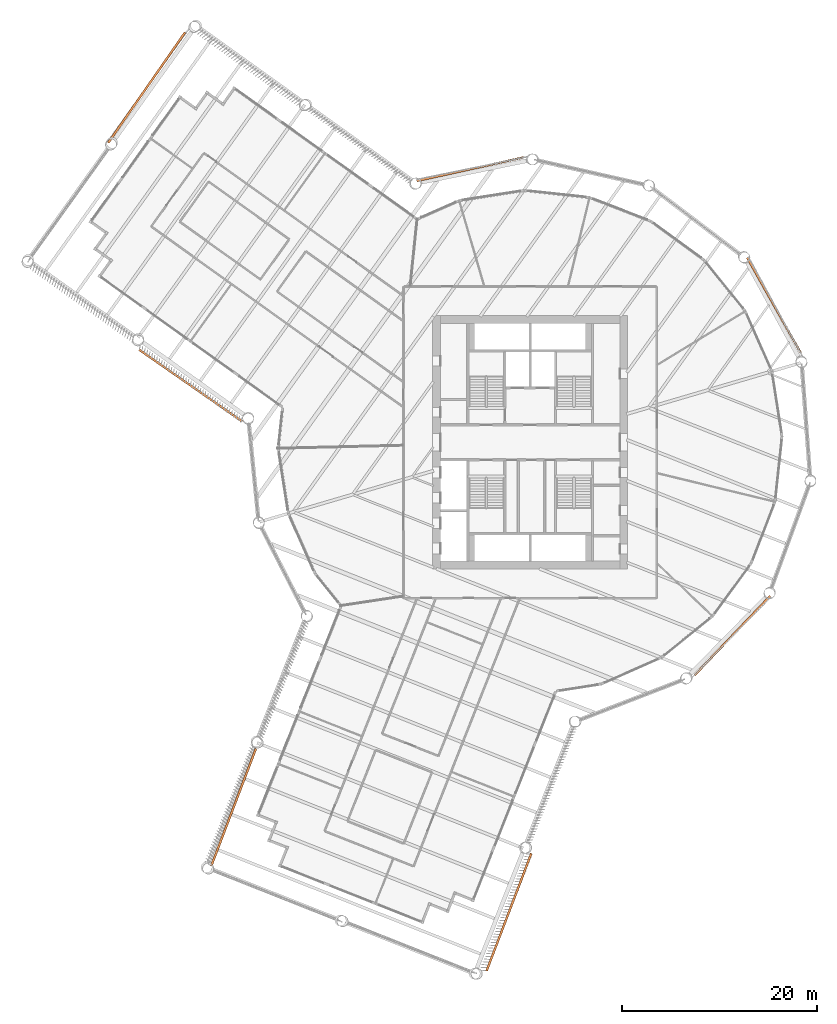
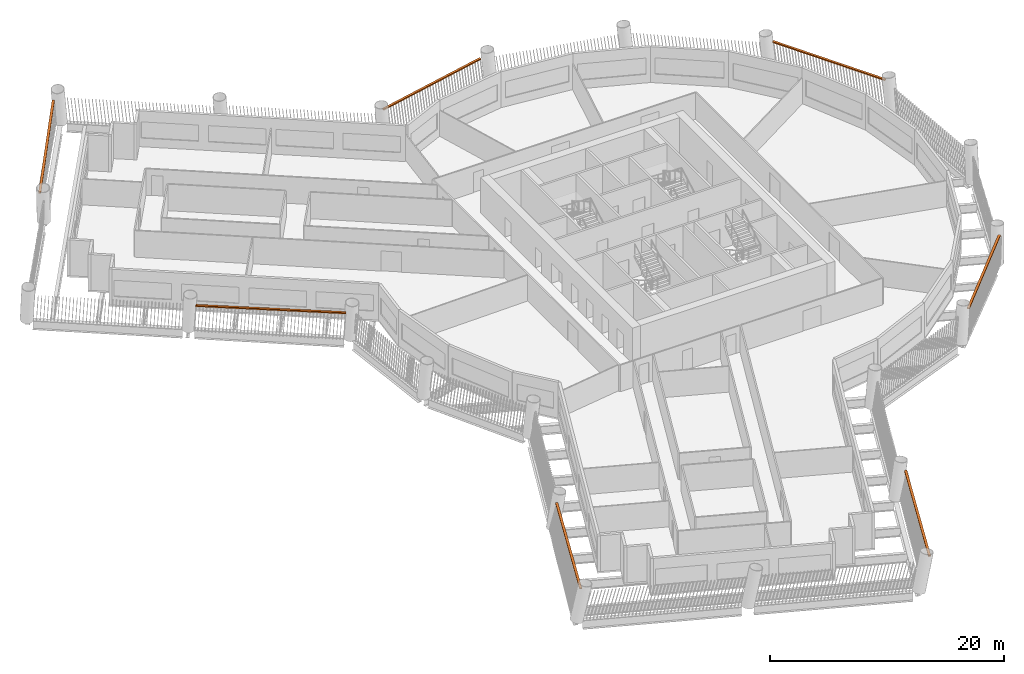
# One storey, part 17 of 17: 7 proxies.
"""IFC4 building model written with IfcOpenShell, lengths in metres."""

from ifc_helpers import new_model, si_unit, direction, frame, origin, origin_2d, place, context, subcontext, project, spatial, rectangle, extrude, material, type_object, element, save


model = new_model("IFC4")

# Units and contexts
model_context = context("Model", 3, precision=1e-05, world=origin(), true_north=direction((0.0, 1.0)))
body_context = subcontext(model_context, "Body", "Model", "MODEL_VIEW")
ifc_project = project(units=[si_unit("LENGTHUNIT", "METRE"), si_unit("AREAUNIT", "SQUARE_METRE"), si_unit("VOLUMEUNIT", "CUBIC_METRE"), si_unit("PLANEANGLEUNIT", "RADIAN"), si_unit("MASSUNIT", "GRAM", prefix="KILO")], contexts=[model_context])

# Site, building, storey
site_placement = place(None, origin())
site = spatial("IfcSite", under=ifc_project, at=site_placement, CompositionType="ELEMENT")
building_placement = place(site_placement, origin())
building = spatial("IfcBuilding", under=site, at=building_placement, Name="Tarsis Ring Headquarters", CompositionType="ELEMENT")
storey_placement = place(building_placement, frame((0.0, 0.0, 127.89990234375)))
storey = spatial("IfcBuildingStorey", under=building, at=storey_placement, Name="L29", CompositionType="ELEMENT", Elevation=127.89990234375)

# Proxies
ifc_material = material(Name="Structural steel S355", Category="steel")
building_element_proxy_type = type_object("IfcBuildingElementProxyType", Name="Screen bracket plate", PredefinedType="USERDEFINED", material=ifc_material)
for number, where, z_axis, x_axis, name in (
    (1, (-30.4453125, -37.468994140625, 2.95263671875), (0.0, 0.0, 1.0), (-0.355759474634, -0.934577549596, 0.0), "Screen bracket L29-02"),
    (2, (-2.177001953125, -48.229736328125, 2.95263671875), (0.0, 0.0, 1.0), (0.35575953988, 0.934577524759, 0.0), "Screen bracket L29-05"),
):
    element("IfcBuildingElementProxy", number, at=place(storey_placement, frame(where, z_axis=z_axis, x_axis=x_axis)), inside=storey, type_object=building_element_proxy_type, Name=name, ObjectType="Bracket", PredefinedType="USERDEFINED", context=body_context, shape_type="SweptSolid", body=[
        extrude(rectangle(XDim=12.90234375, YDim=0.222900390625, at=origin_2d()), origin(), (0.0, 0.0, 1.0), 0.1201171875),
    ])
for number, where, z_axis, x_axis, name in (
    (3, (20.76416015625, -19.840087890625, 2.95263671875), (0.0, 0.0, 1.0), (0.690834813891, 0.723012627771, 0.0), "Screen bracket L29-08"),
    (4, (25.037353515625, 14.068359375, 2.95263671875), (0.0, 0.0, 1.0), (-0.489858003723, 0.871802234563, 0.0), "Screen bracket L29-11"),
    (5, (-6.146728515625, 28.0537109375, 2.95263671875), (0.0, 0.0, 1.0), (-0.976826728137, -0.214031640646, 0.0), "Screen bracket L29-14"),
):
    element("IfcBuildingElementProxy", number, at=place(storey_placement, frame(where, z_axis=z_axis, x_axis=x_axis)), inside=storey, type_object=building_element_proxy_type, Name=name, ObjectType="Bracket", PredefinedType="USERDEFINED", context=body_context, shape_type="SweptSolid", body=[
        extrude(rectangle(XDim=11.248779296875, YDim=0.222900390625, at=origin_2d()), origin(), (0.0, 0.0, 1.0), 0.1201171875),
    ])
proxy_1_placement = place(storey_placement, frame((-39.373779296875, 36.42236328125, 2.95263671875), z_axis=(0.0, 0.0, 1.0), x_axis=(-0.571286670203, -0.820750595765, 0.0)))
element("IfcBuildingElementProxy", 6, at=proxy_1_placement, inside=storey, type_object=building_element_proxy_type, Name="Screen bracket L29-17", ObjectType="Bracket", PredefinedType="USERDEFINED", context=body_context, shape_type="SweptSolid", body=[
    extrude(rectangle(XDim=13.800048828125, YDim=0.222900390625, at=origin_2d()), origin(), (0.0, 0.0, 1.0), 0.1201171875),
])
proxy_2_placement = place(storey_placement, frame((-34.860107421875, 5.838134765625, 2.95263671875), z_axis=(0.0, 0.0, 1.0), x_axis=(0.820750565852, -0.571286713177, 0.0)))
element("IfcBuildingElementProxy", 7, at=proxy_2_placement, inside=storey, type_object=building_element_proxy_type, Name="Screen bracket L29-20", ObjectType="Bracket", PredefinedType="USERDEFINED", context=body_context, shape_type="SweptSolid", body=[
    extrude(rectangle(XDim=12.90234375, YDim=0.222900390625, at=origin_2d()), origin(), (0.0, 0.0, 1.0), 0.1201171875),
])

save(model, "model.ifc")
